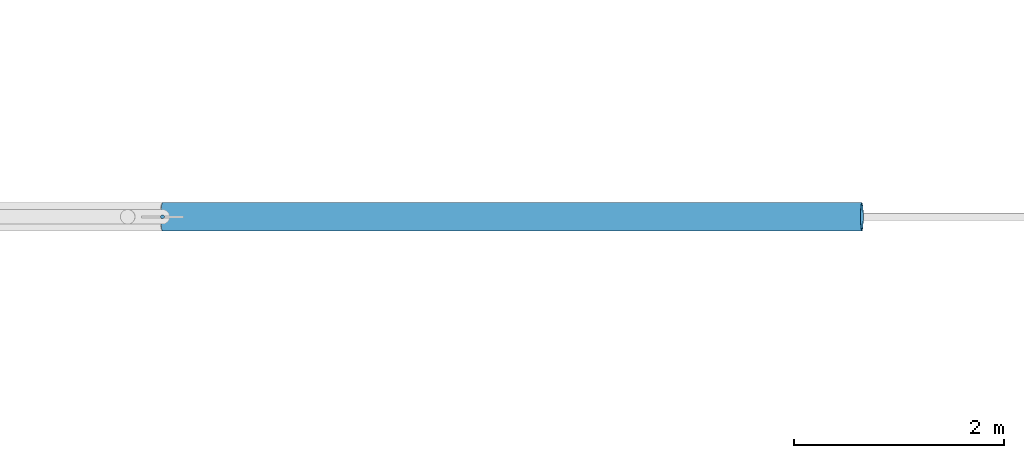
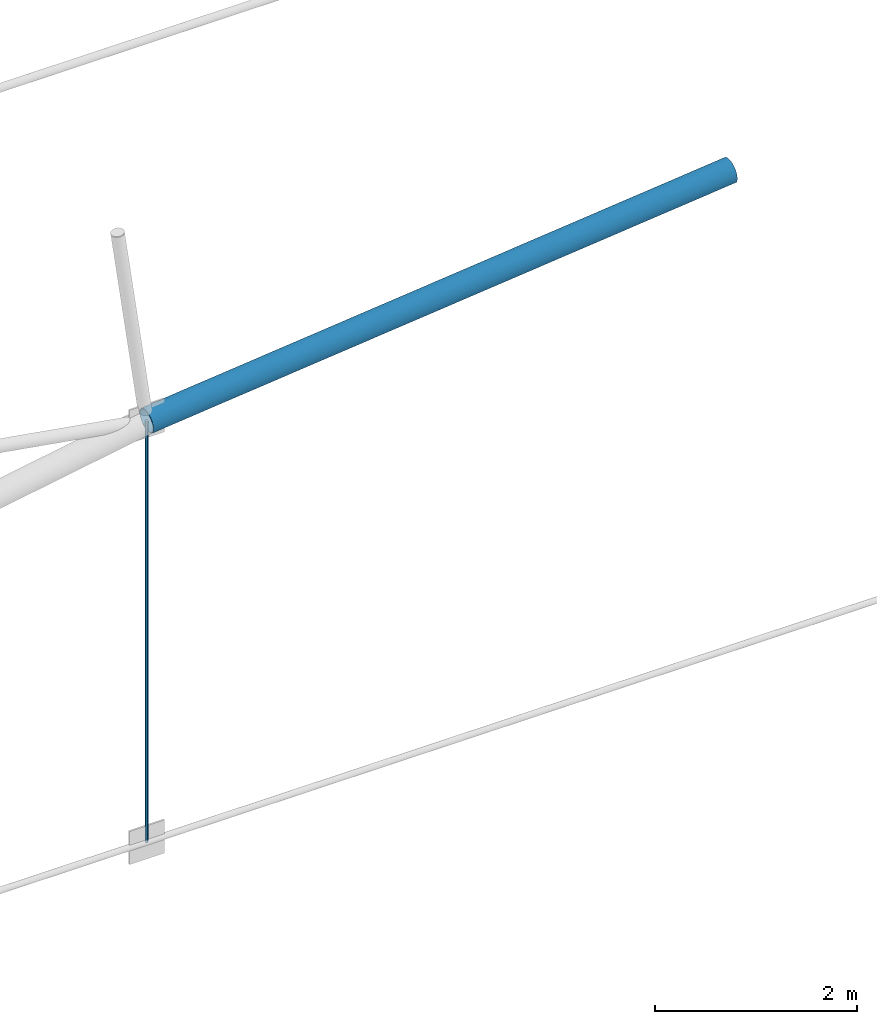
# One storey, part 86 of 321: 2 members.
"""IFC4 building model written with IfcOpenShell, lengths in metres."""

from ifc_helpers import new_model, si_unit, direction, frame, origin, origin_2d, place, context, subcontext, project, spatial, circle, hollow_circle, extrude, material, material_profile, profile_set, type_object, element, save


model = new_model("IFC4")

# Units and contexts
model_context = context("Model", 3, precision=1e-05, world=origin(), true_north=direction((0.0, 1.0)))
body_context = subcontext(model_context, "Body", "Model", "MODEL_VIEW")
ifc_project = project(units=[si_unit("LENGTHUNIT", "METRE"), si_unit("AREAUNIT", "SQUARE_METRE"), si_unit("VOLUMEUNIT", "CUBIC_METRE"), si_unit("PLANEANGLEUNIT", "RADIAN"), si_unit("MASSUNIT", "GRAM", prefix="KILO")], contexts=[model_context])

# Site, building, storey
site_placement = place(None, origin())
site = spatial("IfcSite", under=ifc_project, at=site_placement, CompositionType="ELEMENT")
building_placement = place(site_placement, origin())
building = spatial("IfcBuilding", under=site, at=building_placement, Name="Ravi Spectrum Wholesale Market", CompositionType="ELEMENT")
storey_placement = place(building_placement, frame((0.0, 0.0, 10.800048828125)))
storey = spatial("IfcBuildingStorey", under=building, at=storey_placement, Name="L02", CompositionType="ELEMENT", Elevation=10.800048828125)

# Members
ifc_material_1 = material(Name="Steel S355", Category="steel")
ifc_material_profile_1 = material_profile(ifc_material_1, hollow_circle(Radius=0.136474609375, WallThickness=0.010009765625, at=origin_2d()))
ifc_profile_set_1 = profile_set([ifc_material_profile_1], Name="Steel S355")
member_type_1 = type_object("IfcMemberType", Name="CHS 273x10 chord", PredefinedType="CHORD", material=ifc_profile_set_1)
member_1_placement = place(storey_placement, frame((56.648193359375, 138.0, 5.1025390625), z_axis=(0.994646786479, 0.0, 0.103333296414), x_axis=(0.0, 1.0, 0.0)))
element("IfcMember", 1, at=member_1_placement, inside=storey, type_object=member_type_1, Name="H1-MB-L02-776", PredefinedType="CHORD", context=body_context, shape_type="SweptSolid", body=[
    extrude(hollow_circle(Radius=0.136474609375, WallThickness=0.010009765625, at=origin_2d()), origin(), (0.0, 0.0, 1.0), 6.69580078125),
])
ifc_material_2 = material(Name="Steel S355", Category="steel")
ifc_material_profile_2 = material_profile(ifc_material_2, circle(Radius=0.01806640625, at=origin_2d()))
ifc_profile_set_2 = profile_set([ifc_material_profile_2], Name="Steel S355")
member_type_2 = type_object("IfcMemberType", Name="ROD 36 hanger", PredefinedType="STRUT", material=ifc_profile_set_2)
member_2_placement = place(storey_placement, frame((56.648193359375, 138.0, 0.023193359375), z_axis=(0.0, 0.0, 1.0), x_axis=(1.0, 0.0, 0.0)))
element("IfcMember", 2, at=member_2_placement, inside=storey, type_object=member_type_2, Name="H1-MB-L02-807", PredefinedType="STRUT", context=body_context, shape_type="SweptSolid", body=[
    extrude(circle(Radius=0.01806640625, at=origin_2d()), origin(), (0.0, 0.0, 1.0), 5.079345703125),
])

save(model, "model.ifc")
